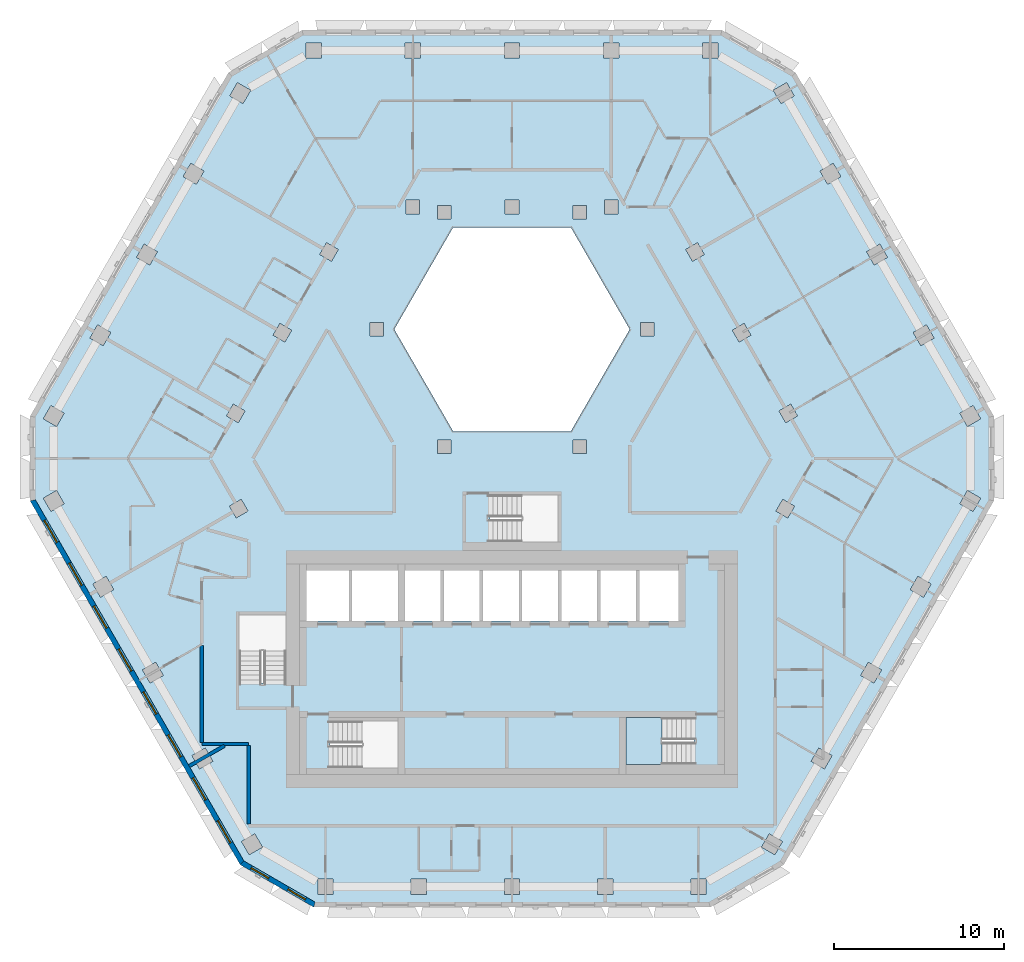
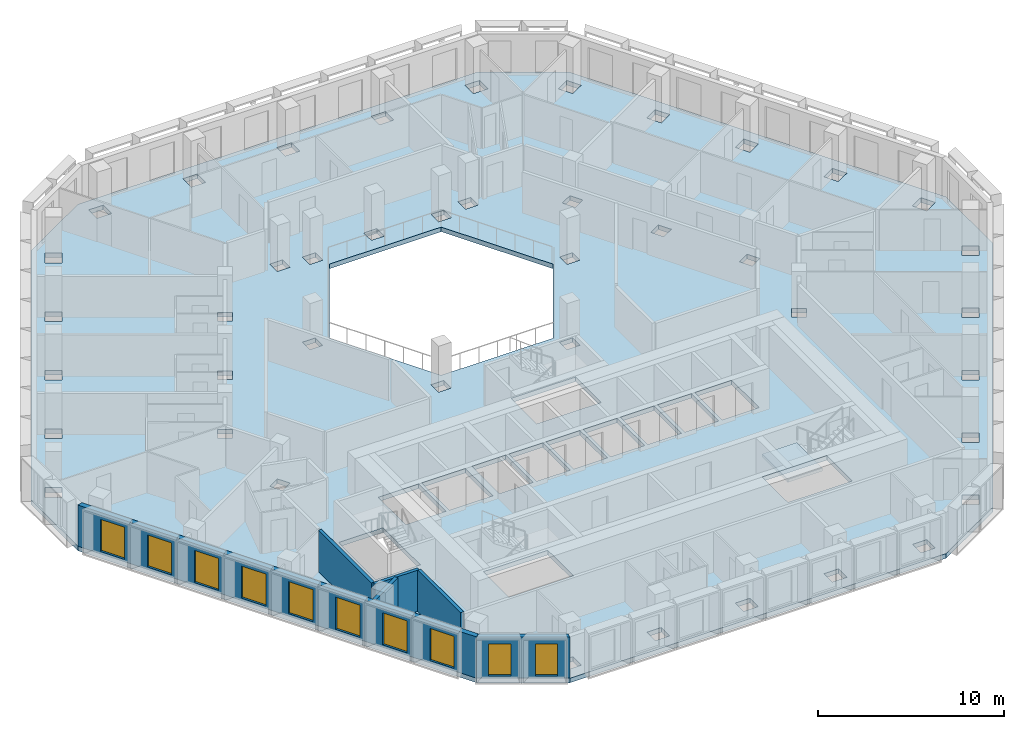
# One storey, part 2 of 17: 10 windows, 6 walls, 2 slabs, 10 openings, 1 element without a shape of its own.
"""IFC4 building model written with IfcOpenShell, lengths in metres."""

from ifc_helpers import new_model, si_unit, direction, frame, frame_2d, origin, place, context, subcontext, project, spatial, polyline, rectangle, outline, extrude, material, layer, layer_set, type_object, element, fill, aggregate, save


model = new_model("IFC4")

# Units and contexts
model_context = context("Model", 3, precision=1e-05, world=origin(), true_north=direction((0.0, 1.0)))
body_context = subcontext(model_context, "Body", "Model", "MODEL_VIEW")
ifc_project = project(units=[si_unit("LENGTHUNIT", "METRE"), si_unit("AREAUNIT", "SQUARE_METRE"), si_unit("VOLUMEUNIT", "CUBIC_METRE"), si_unit("PLANEANGLEUNIT", "RADIAN"), si_unit("MASSUNIT", "GRAM", prefix="KILO")], contexts=[model_context])

# Site, building, storey
site_placement = place(None, origin())
site = spatial("IfcSite", under=ifc_project, at=site_placement, CompositionType="ELEMENT")
building_placement = place(site_placement, origin())
building = spatial("IfcBuilding", under=site, at=building_placement, Name="Beryl Residences", CompositionType="ELEMENT")
storey_placement = place(building_placement, frame((0.0, 0.0, 120.60009765625)))
storey = spatial("IfcBuildingStorey", under=building, at=storey_placement, Name="L36", CompositionType="ELEMENT", Elevation=120.60009765625)

# Slab
ifc_material_1 = material(Name="Concrete C40/50", Category="concrete")
ifc_layer_1 = layer(ifc_material_1, 0.300048828125)
ifc_layer_set_1 = layer_set([ifc_layer_1], Name="SL7 PT floor slab 300 mm C40/50")
slab_type_1 = type_object("IfcSlabType", Name="SL7 PT floor slab 300 mm C40/50", PredefinedType="FLOOR", material=ifc_layer_set_1)
slab_1_placement = place(storey_placement, frame((0.0, 0.0, -0.300048828125)))
element("IfcSlab", 1, at=slab_1_placement, inside=storey, type_object=slab_type_1, Name="L36 slab 1", PredefinedType="FLOOR", context=body_context, shape_type="SweptSolid", body=[
    extrude(outline(polyline([(28.347900390625, -2.10009765625), (15.991943359375, -23.5), (11.662109375, -26.0), (-11.662109375, -26.0), (-15.991943359375, -23.5), (-28.347900390625, -2.10009765625), (-28.347900390625, 2.89990234375), (-16.68505859375, 23.10009765625), (-12.35498046875, 25.60009765625), (12.35498046875, 25.60009765625), (16.68505859375, 23.10009765625), (28.347900390625, 2.89990234375), (28.347900390625, -2.10009765625)]), holes=[polyline([(27.1279296875, 3.514892578125), (26.347900390625, 3.06494140625), (26.798095703125, 2.284912109375), (27.577880859375, 2.735107421875), (27.1279296875, 3.514892578125)]), polyline([(26.7958984375, -1.486083984375), (26.345947265625, -2.26611328125), (27.1259765625, -2.716064453125), (27.575927734375, -1.93603515625), (26.7958984375, -1.486083984375)]), polyline([(23.60498046875, 7.81494140625), (24.054931640625, 7.034912109375), (24.8349609375, 7.485107421875), (24.385009765625, 8.264892578125), (23.60498046875, 7.81494140625)]), polyline([(24.660888671875, -6.986083984375), (23.881103515625, -6.535888671875), (23.430908203125, -7.31591796875), (24.2109375, -7.76611328125), (24.660888671875, -6.986083984375)]), polyline([(21.64306640625, 13.014892578125), (20.863037109375, 12.56494140625), (21.31298828125, 11.784912109375), (22.093017578125, 12.235107421875), (21.64306640625, 13.014892578125)]), polyline([(20.965087890625, -11.5859375), (20.514892578125, -12.365966796875), (21.294921875, -12.81591796875), (21.7451171875, -12.035888671875), (20.965087890625, -11.5859375)]), polyline([(18.1201171875, 17.31494140625), (18.570068359375, 16.534912109375), (19.35009765625, 16.985107421875), (18.89990234375, 17.764892578125), (18.1201171875, 17.31494140625)]), polyline([(18.830078125, -17.0859375), (18.050048828125, -16.635986328125), (17.60009765625, -17.416015625), (18.3798828125, -17.865966796875), (18.830078125, -17.0859375)]), polyline([(16.39892578125, 3.595947265625), (15.70703125, 3.196044921875), (16.10693359375, 2.50390625), (16.799072265625, 2.904052734375), (16.39892578125, 3.595947265625)]), polyline([(16.6240234375, -2.405029296875), (15.931884765625, -2.0048828125), (15.531982421875, -2.697021484375), (16.22412109375, -3.096923828125), (16.6240234375, -2.405029296875)]), polyline([(16.157958984375, 22.514892578125), (15.3779296875, 22.06494140625), (15.827880859375, 21.284912109375), (16.60791015625, 21.735107421875), (16.157958984375, 22.514892578125)]), polyline([(15.9140625, -22.135009765625), (15.134033203125, -21.68505859375), (14.68408203125, -22.465087890625), (15.464111328125, -22.9150390625), (15.9140625, -22.135009765625)]), polyline([(13.656005859375, 8.345947265625), (12.964111328125, 7.946044921875), (13.364013671875, 7.25390625), (14.055908203125, 7.654052734375), (13.656005859375, 8.345947265625)]), polyline([(11.2119140625, 24.85009765625), (11.2119140625, 23.949951171875), (12.112060546875, 23.949951171875), (12.112060546875, 24.85009765625), (11.2119140625, 24.85009765625)]), polyline([(11.4208984375, -24.35009765625), (10.52099609375, -24.35009765625), (10.52099609375, -25.25), (11.4208984375, -25.25), (11.4208984375, -24.35009765625)]), polyline([(10.221923828125, 12.696044921875), (10.6220703125, 12.00390625), (11.31396484375, 12.404052734375), (10.9140625, 13.095947265625), (10.221923828125, 12.696044921875)]), polyline([(6.699951171875, -14.85009765625), (6.699951171875, -17.60009765625), (10.699951171875, -17.60009765625), (10.699951171875, -14.85009765625), (6.699951171875, -14.85009765625)]), polyline([(7.5, -9.14990234375), (9.800048828125, -9.14990234375), (9.800048828125, -6.199951171875), (7.5, -6.199951171875), (7.5, -9.14990234375)]), polyline([(8.366943359375, 7.60009765625), (8.366943359375, 8.39990234375), (7.56689453125, 8.39990234375), (7.56689453125, 7.60009765625), (8.366943359375, 7.60009765625)]), polyline([(7.300048828125, -9.14990234375), (7.300048828125, -6.199951171875), (5.199951171875, -6.199951171875), (5.199951171875, -9.14990234375), (7.300048828125, -9.14990234375)]), polyline([(3.464111328125, 14.0), (-3.464111328125, 14.0), (-6.92822265625, 8.0), (-3.464111328125, 2.0), (3.464111328125, 2.0), (6.92822265625, 8.0), (3.464111328125, 14.0)]), polyline([(5.381103515625, 24.85009765625), (5.381103515625, 23.949951171875), (6.281005859375, 23.949951171875), (6.281005859375, 24.85009765625), (5.381103515625, 24.85009765625)]), polyline([(5.430908203125, 15.60009765625), (5.430908203125, 14.800048828125), (6.23095703125, 14.800048828125), (6.23095703125, 15.60009765625), (5.430908203125, 15.60009765625)]), polyline([(5.93603515625, -25.25), (5.93603515625, -24.35009765625), (5.035888671875, -24.35009765625), (5.035888671875, -25.25), (5.93603515625, -25.25)]), polyline([(2.89990234375, -9.14990234375), (5.0, -9.14990234375), (5.0, -6.199951171875), (2.89990234375, -6.199951171875), (2.89990234375, -9.14990234375)]), polyline([(4.384033203125, 14.5), (4.384033203125, 15.300048828125), (3.583984375, 15.300048828125), (3.583984375, 14.5), (4.384033203125, 14.5)]), polyline([(3.583984375, 1.5), (3.583984375, 0.699951171875), (4.384033203125, 0.699951171875), (4.384033203125, 1.5), (3.583984375, 1.5)]), polyline([(2.699951171875, -4.5), (2.699951171875, -1.75), (-1.300048828125, -1.75), (-1.300048828125, -4.5), (2.699951171875, -4.5)]), polyline([(0.60009765625, -9.14990234375), (2.699951171875, -9.14990234375), (2.699951171875, -6.199951171875), (0.60009765625, -6.199951171875), (0.60009765625, -9.14990234375)]), polyline([(0.450927734375, -24.35009765625), (-0.448974609375, -24.35009765625), (-0.448974609375, -25.25), (0.450927734375, -25.25), (0.450927734375, -24.35009765625)]), polyline([(-0.449951171875, 24.85009765625), (-0.449951171875, 23.949951171875), (0.449951171875, 23.949951171875), (0.449951171875, 24.85009765625), (-0.449951171875, 24.85009765625)]), polyline([(0.39990234375, -6.199951171875), (-1.699951171875, -6.199951171875), (-1.699951171875, -9.14990234375), (0.39990234375, -9.14990234375), (0.39990234375, -6.199951171875)]), polyline([(-0.39990234375, 15.60009765625), (-0.39990234375, 14.800048828125), (0.39990234375, 14.800048828125), (0.39990234375, 15.60009765625), (-0.39990234375, 15.60009765625)]), polyline([(-4.0, -9.14990234375), (-1.89990234375, -9.14990234375), (-1.89990234375, -6.199951171875), (-4.0, -6.199951171875), (-4.0, -9.14990234375)]), polyline([(-3.583984375, 14.5), (-3.583984375, 15.300048828125), (-4.384033203125, 15.300048828125), (-4.384033203125, 14.5), (-3.583984375, 14.5)]), polyline([(-3.583984375, 0.699951171875), (-3.583984375, 1.5), (-4.384033203125, 1.5), (-4.384033203125, 0.699951171875), (-3.583984375, 0.699951171875)]), polyline([(-6.300048828125, -9.14990234375), (-4.199951171875, -9.14990234375), (-4.199951171875, -6.199951171875), (-6.300048828125, -6.199951171875), (-6.300048828125, -9.14990234375)]), polyline([(-5.033935546875, -25.25), (-5.033935546875, -24.35009765625), (-5.93408203125, -24.35009765625), (-5.93408203125, -25.25), (-5.033935546875, -25.25)]), polyline([(-6.281005859375, 23.949951171875), (-5.381103515625, 23.949951171875), (-5.381103515625, 24.85009765625), (-6.281005859375, 24.85009765625), (-6.281005859375, 23.949951171875)]), polyline([(-6.23095703125, 14.800048828125), (-5.430908203125, 14.800048828125), (-5.430908203125, 15.60009765625), (-6.23095703125, 15.60009765625), (-6.23095703125, 14.800048828125)]), polyline([(-6.699951171875, -6.199951171875), (-9.39990234375, -6.199951171875), (-9.39990234375, -9.14990234375), (-6.699951171875, -9.14990234375), (-6.699951171875, -6.199951171875)]), polyline([(-10.699951171875, -15.050048828125), (-10.699951171875, -17.800048828125), (-6.699951171875, -17.800048828125), (-6.699951171875, -15.050048828125), (-10.699951171875, -15.050048828125)]), polyline([(-7.56689453125, 7.60009765625), (-7.56689453125, 8.39990234375), (-8.366943359375, 8.39990234375), (-8.366943359375, 7.60009765625), (-7.56689453125, 7.60009765625)]), polyline([(-12.10009765625, -9.14990234375), (-9.60009765625, -9.14990234375), (-9.60009765625, -6.199951171875), (-12.10009765625, -6.199951171875), (-12.10009765625, -9.14990234375)]), polyline([(-11.31396484375, 12.404052734375), (-10.6220703125, 12.00390625), (-10.221923828125, 12.696044921875), (-10.9140625, 13.095947265625), (-11.31396484375, 12.404052734375)]), polyline([(-11.4189453125, -24.35009765625), (-11.4189453125, -25.25), (-10.51904296875, -25.25), (-10.51904296875, -24.35009765625), (-11.4189453125, -24.35009765625)]), polyline([(-12.112060546875, 24.85009765625), (-12.112060546875, 23.949951171875), (-11.2119140625, 23.949951171875), (-11.2119140625, 24.85009765625), (-12.112060546875, 24.85009765625)]), polyline([(-14.055908203125, 7.654052734375), (-13.364013671875, 7.25390625), (-12.964111328125, 7.946044921875), (-13.656005859375, 8.345947265625), (-14.055908203125, 7.654052734375)]), polyline([(-13.300048828125, -8.800048828125), (-16.050048828125, -8.800048828125), (-16.050048828125, -12.800048828125), (-13.300048828125, -12.800048828125), (-13.300048828125, -8.800048828125)]), polyline([(-14.68505859375, -22.464111328125), (-15.135009765625, -21.68408203125), (-15.9150390625, -22.134033203125), (-15.465087890625, -22.9140625), (-14.68505859375, -22.464111328125)]), polyline([(-15.827880859375, 21.284912109375), (-15.3779296875, 22.06494140625), (-16.157958984375, 22.514892578125), (-16.60791015625, 21.735107421875), (-15.827880859375, 21.284912109375)]), polyline([(-15.532958984375, -2.695068359375), (-15.93310546875, -2.0029296875), (-16.625, -2.403076171875), (-16.22509765625, -3.094970703125), (-15.532958984375, -2.695068359375)]), polyline([(-16.10693359375, 2.50390625), (-15.70703125, 3.196044921875), (-16.39892578125, 3.595947265625), (-16.799072265625, 2.904052734375), (-16.10693359375, 2.50390625)]), polyline([(-17.60107421875, -17.4140625), (-18.051025390625, -16.634033203125), (-18.8310546875, -17.083984375), (-18.381103515625, -17.864013671875), (-17.60107421875, -17.4140625)]), polyline([(-19.35009765625, 16.985107421875), (-18.570068359375, 16.534912109375), (-18.1201171875, 17.31494140625), (-18.89990234375, 17.764892578125), (-19.35009765625, 16.985107421875)]), polyline([(-21.2958984375, -12.81396484375), (-20.51611328125, -12.364013671875), (-20.966064453125, -11.583984375), (-21.74609375, -12.033935546875), (-21.2958984375, -12.81396484375)]), polyline([(-20.863037109375, 12.56494140625), (-21.64306640625, 13.014892578125), (-22.093017578125, 12.235107421875), (-21.31298828125, 11.784912109375), (-20.863037109375, 12.56494140625)]), polyline([(-24.2119140625, -7.763916015625), (-23.431884765625, -7.31396484375), (-23.882080078125, -6.533935546875), (-24.662109375, -6.98388671875), (-24.2119140625, -7.763916015625)]), polyline([(-24.8349609375, 7.485107421875), (-24.054931640625, 7.034912109375), (-23.60498046875, 7.81494140625), (-24.385009765625, 8.264892578125), (-24.8349609375, 7.485107421875)]), polyline([(-27.126953125, -2.715087890625), (-26.346923828125, -2.264892578125), (-26.797119140625, -1.485107421875), (-27.576904296875, -1.93505859375), (-27.126953125, -2.715087890625)]), polyline([(-27.577880859375, 2.735107421875), (-26.798095703125, 2.284912109375), (-26.347900390625, 3.06494140625), (-27.1279296875, 3.514892578125), (-27.577880859375, 2.735107421875)])]), origin(), (0.0, 0.0, 1.0), 0.300048828125),
])

# Stair, slab
ifc_material_2 = material(Name="Concrete C40/50", Category="concrete")
stair_type = type_object("IfcStairType", Name="ST1 protected exit stair, half-turn, 1300 mm flights", PredefinedType="HALF_TURN_STAIR", material=ifc_material_2)
stair_placement = place(storey_placement, origin())
stair = element("IfcStair", 2, at=stair_placement, inside=storey, type_object=stair_type, Name="L36 PROTECTED EXIT STAIR ST-3", PredefinedType="HALF_TURN_STAIR")
ifc_material_3 = material(Name="Concrete C40/50", Category="concrete")
ifc_layer_2 = layer(ifc_material_3, 0.199951171875)
ifc_layer_set_2 = layer_set([ifc_layer_2], Name="SLD1 stair landing 200 mm")
slab_type_2 = type_object("IfcSlabType", Name="SLD1 stair landing 200 mm", PredefinedType="LANDING", material=ifc_layer_set_2)
slab_2_placement = place(storey_placement, frame((0.0, 0.0, 1.2998046875)))
slab_2 = element("IfcSlab", 3, at=slab_2_placement, type_object=slab_type_2, Name="ST-3 landing 1", PredefinedType="LANDING", context=body_context, shape_type="SweptSolid", body=[
    extrude(outline(polyline([(8.840087890625, -14.85009765625), (6.699951171875, -14.85009765625), (6.699951171875, -17.60009765625), (8.840087890625, -17.60009765625), (8.840087890625, -14.85009765625)])), origin(), (0.0, 0.0, 1.0), 0.2001953125),
])
aggregate(stair, [slab_2])

# Wall, openings, windows
ifc_material_4 = material(Name="Composite metal panel with mineral wool insulation")
ifc_layer_3 = layer(ifc_material_4, 0.300048828125)
ifc_layer_set_3 = layer_set([ifc_layer_3], Name="ES1 pale metal composite panel wall 300 mm")
wall_type_1 = type_object("IfcWallType", Name="ES1 pale metal composite panel wall 300 mm", PredefinedType="SOLIDWALL", material=ifc_layer_set_3)
wall_1_placement = place(storey_placement, frame((-28.218017578125, -2.02490234375, 0.0), z_axis=(0.0, 0.0, 1.0), x_axis=(0.500017503135, -0.866015298109, 0.0)))
wall_1 = element("IfcWall", 4, at=wall_1_placement, inside=storey, type_object=wall_type_1, Name="ES1 external wall L36 SW", PredefinedType="SOLIDWALL", context=body_context, shape_type="SweptSolid", body=[
    extrude(outline(polyline([(0.0, -0.14990234375), (24.7109375, -0.14990234375), (24.630615234375, 0.14990234375), (0.080322265625, 0.14990234375), (0.0, -0.14990234375)])), origin(), (0.0, 0.0, 1.0), 2.699951171875),
])
opening_1_placement = place(wall_1_placement, frame((1.39990234375, 0.0, 0.14990234375)))
opening_1 = element("IfcOpeningElement", 5, at=opening_1_placement, cuts=wall_1, Name="Opening W1", PredefinedType="OPENING", context=body_context, shape_type="SweptSolid", body=[
    extrude(rectangle(XDim=1.5, YDim=2.10009765625, at=frame_2d((0.75, 1.050048828125))), frame((0.0, 0.159912109375, 0.0), z_axis=(0.0, -1.0, 0.0), x_axis=(1.0, 0.0, 0.0)), (0.0, 0.0, 1.0), 0.320068359375),
])
opening_2_placement = place(wall_1_placement, frame((4.31591796875, 0.0, 0.14990234375)))
opening_2 = element("IfcOpeningElement", 6, at=opening_2_placement, cuts=wall_1, Name="Opening W1", PredefinedType="OPENING", context=body_context, shape_type="SweptSolid", body=[
    extrude(rectangle(XDim=1.5, YDim=2.10009765625, at=frame_2d((0.75, 1.050048828125))), frame((0.0, 0.159912109375, 0.0), z_axis=(0.0, -1.0, 0.0), x_axis=(1.0, 0.0, 0.0)), (0.0, 0.0, 1.0), 0.320068359375),
])
opening_3_placement = place(wall_1_placement, frame((7.23095703125, 0.0, 0.14990234375)))
opening_3 = element("IfcOpeningElement", 7, at=opening_3_placement, cuts=wall_1, Name="Opening W1", PredefinedType="OPENING", context=body_context, shape_type="SweptSolid", body=[
    extrude(rectangle(XDim=1.5, YDim=2.10009765625, at=frame_2d((0.75, 1.050048828125))), frame((0.0, 0.159912109375, 0.0), z_axis=(0.0, -1.0, 0.0), x_axis=(1.0, 0.0, 0.0)), (0.0, 0.0, 1.0), 0.320068359375),
])
opening_4_placement = place(wall_1_placement, frame((10.14697265625, 0.0, 0.14990234375)))
opening_4 = element("IfcOpeningElement", 8, at=opening_4_placement, cuts=wall_1, Name="Opening W1", PredefinedType="OPENING", context=body_context, shape_type="SweptSolid", body=[
    extrude(rectangle(XDim=1.5, YDim=2.10009765625, at=frame_2d((0.75, 1.050048828125))), frame((0.0, 0.159912109375, 0.0), z_axis=(0.0, -1.0, 0.0), x_axis=(1.0, 0.0, 0.0)), (0.0, 0.0, 1.0), 0.320068359375),
])
opening_5_placement = place(wall_1_placement, frame((13.06201171875, 0.0, 0.14990234375)))
opening_5 = element("IfcOpeningElement", 9, at=opening_5_placement, cuts=wall_1, Name="Opening W1", PredefinedType="OPENING", context=body_context, shape_type="SweptSolid", body=[
    extrude(rectangle(XDim=1.5, YDim=2.10009765625, at=frame_2d((0.75, 1.050048828125))), frame((0.0, 0.159912109375, 0.0), z_axis=(0.0, -1.0, 0.0), x_axis=(1.0, 0.0, 0.0)), (0.0, 0.0, 1.0), 0.320068359375),
])
opening_6_placement = place(wall_1_placement, frame((15.97705078125, 0.0, 0.14990234375)))
opening_6 = element("IfcOpeningElement", 10, at=opening_6_placement, cuts=wall_1, Name="Opening W1", PredefinedType="OPENING", context=body_context, shape_type="SweptSolid", body=[
    extrude(rectangle(XDim=1.5, YDim=2.10009765625, at=frame_2d((0.75, 1.050048828125))), frame((0.0, 0.159912109375, 0.0), z_axis=(0.0, -1.0, 0.0), x_axis=(1.0, 0.0, 0.0)), (0.0, 0.0, 1.0), 0.320068359375),
])
opening_7_placement = place(wall_1_placement, frame((18.89306640625, 0.0, 0.14990234375)))
opening_7 = element("IfcOpeningElement", 11, at=opening_7_placement, cuts=wall_1, Name="Opening W1", PredefinedType="OPENING", context=body_context, shape_type="SweptSolid", body=[
    extrude(rectangle(XDim=1.5, YDim=2.10009765625, at=frame_2d((0.75, 1.050048828125))), frame((0.0, 0.159912109375, 0.0), z_axis=(0.0, -1.0, 0.0), x_axis=(1.0, 0.0, 0.0)), (0.0, 0.0, 1.0), 0.320068359375),
])
opening_8_placement = place(wall_1_placement, frame((21.80908203125, 0.0, 0.14990234375)))
opening_8 = element("IfcOpeningElement", 12, at=opening_8_placement, cuts=wall_1, Name="Opening W1", PredefinedType="OPENING", context=body_context, shape_type="SweptSolid", body=[
    extrude(rectangle(XDim=1.5, YDim=2.10009765625, at=frame_2d((0.75, 1.050048828125))), frame((0.0, 0.159912109375, 0.0), z_axis=(0.0, -1.0, 0.0), x_axis=(1.0, 0.0, 0.0)), (0.0, 0.0, 1.0), 0.320068359375),
])
ifc_material_5 = material(Name="Aluminium and clear glass", Category="aluminium")
window_type_1 = type_object("IfcWindowType", Name="W1 cell window 1500 x 2100 mm", PartitioningType="SINGLE_PANEL", PredefinedType="WINDOW", material=ifc_material_5)
window_1_placement = place(opening_1_placement, origin())
window_1 = element("IfcWindow", 13, at=window_1_placement, inside=storey, type_object=window_type_1, Name="W1 window L36 SW 1", OverallHeight=2.10009765625, OverallWidth=1.5, PartitioningType="SINGLE_PANEL", PredefinedType="WINDOW", context=body_context, shape_type="SweptSolid", body=[
    extrude(rectangle(XDim=1.5, YDim=2.10009765625, at=frame_2d((0.75, 1.050048828125))), frame((0.0, 0.030029296875, 0.0), z_axis=(0.0, -1.0, 0.0), x_axis=(1.0, 0.0, 0.0)), (0.0, 0.0, 1.0), 0.06005859375),
])
fill(opening_1, window_1)
window_2_placement = place(opening_2_placement, origin())
window_2 = element("IfcWindow", 14, at=window_2_placement, inside=storey, type_object=window_type_1, Name="W1 window L36 SW 2", OverallHeight=2.10009765625, OverallWidth=1.5, PartitioningType="SINGLE_PANEL", PredefinedType="WINDOW", context=body_context, shape_type="SweptSolid", body=[
    extrude(rectangle(XDim=1.5, YDim=2.10009765625, at=frame_2d((0.75, 1.050048828125))), frame((0.0, 0.030029296875, 0.0), z_axis=(0.0, -1.0, 0.0), x_axis=(1.0, 0.0, 0.0)), (0.0, 0.0, 1.0), 0.06005859375),
])
fill(opening_2, window_2)
window_3_placement = place(opening_3_placement, origin())
window_3 = element("IfcWindow", 15, at=window_3_placement, inside=storey, type_object=window_type_1, Name="W1 window L36 SW 3", OverallHeight=2.10009765625, OverallWidth=1.5, PartitioningType="SINGLE_PANEL", PredefinedType="WINDOW", context=body_context, shape_type="SweptSolid", body=[
    extrude(rectangle(XDim=1.5, YDim=2.10009765625, at=frame_2d((0.75, 1.050048828125))), frame((0.0, 0.030029296875, 0.0), z_axis=(0.0, -1.0, 0.0), x_axis=(1.0, 0.0, 0.0)), (0.0, 0.0, 1.0), 0.06005859375),
])
fill(opening_3, window_3)
window_4_placement = place(opening_4_placement, origin())
window_4 = element("IfcWindow", 16, at=window_4_placement, inside=storey, type_object=window_type_1, Name="W1 window L36 SW 4", OverallHeight=2.10009765625, OverallWidth=1.5, PartitioningType="SINGLE_PANEL", PredefinedType="WINDOW", context=body_context, shape_type="SweptSolid", body=[
    extrude(rectangle(XDim=1.5, YDim=2.10009765625, at=frame_2d((0.75, 1.050048828125))), frame((0.0, 0.030029296875, 0.0), z_axis=(0.0, -1.0, 0.0), x_axis=(1.0, 0.0, 0.0)), (0.0, 0.0, 1.0), 0.06005859375),
])
fill(opening_4, window_4)
window_5_placement = place(opening_5_placement, origin())
window_5 = element("IfcWindow", 17, at=window_5_placement, inside=storey, type_object=window_type_1, Name="W1 window L36 SW 5", OverallHeight=2.10009765625, OverallWidth=1.5, PartitioningType="SINGLE_PANEL", PredefinedType="WINDOW", context=body_context, shape_type="SweptSolid", body=[
    extrude(rectangle(XDim=1.5, YDim=2.10009765625, at=frame_2d((0.75, 1.050048828125))), frame((0.0, 0.030029296875, 0.0), z_axis=(0.0, -1.0, 0.0), x_axis=(1.0, 0.0, 0.0)), (0.0, 0.0, 1.0), 0.06005859375),
])
fill(opening_5, window_5)
window_6_placement = place(opening_6_placement, origin())
window_6 = element("IfcWindow", 18, at=window_6_placement, inside=storey, type_object=window_type_1, Name="W1 window L36 SW 6", OverallHeight=2.10009765625, OverallWidth=1.5, PartitioningType="SINGLE_PANEL", PredefinedType="WINDOW", context=body_context, shape_type="SweptSolid", body=[
    extrude(rectangle(XDim=1.5, YDim=2.10009765625, at=frame_2d((0.75, 1.050048828125))), frame((0.0, 0.030029296875, 0.0), z_axis=(0.0, -1.0, 0.0), x_axis=(1.0, 0.0, 0.0)), (0.0, 0.0, 1.0), 0.06005859375),
])
fill(opening_6, window_6)
window_7_placement = place(opening_7_placement, origin())
window_7 = element("IfcWindow", 19, at=window_7_placement, inside=storey, type_object=window_type_1, Name="W1 window L36 SW 7", OverallHeight=2.10009765625, OverallWidth=1.5, PartitioningType="SINGLE_PANEL", PredefinedType="WINDOW", context=body_context, shape_type="SweptSolid", body=[
    extrude(rectangle(XDim=1.5, YDim=2.10009765625, at=frame_2d((0.75, 1.050048828125))), frame((0.0, 0.030029296875, 0.0), z_axis=(0.0, -1.0, 0.0), x_axis=(1.0, 0.0, 0.0)), (0.0, 0.0, 1.0), 0.06005859375),
])
fill(opening_7, window_7)
window_8_placement = place(opening_8_placement, origin())
window_8 = element("IfcWindow", 20, at=window_8_placement, inside=storey, type_object=window_type_1, Name="W1 window L36 SW 8", OverallHeight=2.10009765625, OverallWidth=1.5, PartitioningType="SINGLE_PANEL", PredefinedType="WINDOW", context=body_context, shape_type="SweptSolid", body=[
    extrude(rectangle(XDim=1.5, YDim=2.10009765625, at=frame_2d((0.75, 1.050048828125))), frame((0.0, 0.030029296875, 0.0), z_axis=(0.0, -1.0, 0.0), x_axis=(1.0, 0.0, 0.0)), (0.0, 0.0, 1.0), 0.06005859375),
])
fill(opening_8, window_8)

wall_2_placement = place(storey_placement, frame((-15.9169921875, -23.3701171875, 0.0), z_axis=(0.0, 0.0, 1.0), x_axis=(0.866022959057, -0.500004234368, 0.0)))
wall_2 = element("IfcWall", 21, at=wall_2_placement, inside=storey, type_object=wall_type_1, Name="ES1 external wall L36 SW-S", PredefinedType="SOLIDWALL", context=body_context, shape_type="SweptSolid", body=[
    extrude(outline(polyline([(0.0, -0.14990234375), (5.0, -0.14990234375), (4.919677734375, 0.14990234375), (0.080322265625, 0.14990234375), (0.0, -0.14990234375)])), origin(), (0.0, 0.0, 1.0), 2.699951171875),
])
opening_9_placement = place(wall_2_placement, frame((0.64990234375, 0.0, 0.14990234375)))
opening_9 = element("IfcOpeningElement", 22, at=opening_9_placement, cuts=wall_2, Name="Opening W2", PredefinedType="OPENING", context=body_context, shape_type="SweptSolid", body=[
    extrude(rectangle(XDim=1.199951171875, YDim=2.10009765625, at=frame_2d((0.60009765625, 1.050048828125))), frame((0.0, 0.159912109375, 0.0), z_axis=(0.0, -1.0, 0.0), x_axis=(1.0, 0.0, 0.0)), (0.0, 0.0, 1.0), 0.320068359375),
])
opening_10_placement = place(wall_2_placement, frame((3.14990234375, 0.0, 0.14990234375)))
opening_10 = element("IfcOpeningElement", 23, at=opening_10_placement, cuts=wall_2, Name="Opening W2", PredefinedType="OPENING", context=body_context, shape_type="SweptSolid", body=[
    extrude(rectangle(XDim=1.199951171875, YDim=2.10009765625, at=frame_2d((0.60009765625, 1.050048828125))), frame((0.0, 0.159912109375, 0.0), z_axis=(0.0, -1.0, 0.0), x_axis=(1.0, 0.0, 0.0)), (0.0, 0.0, 1.0), 0.320068359375),
])
ifc_material_6 = material(Name="Aluminium and clear glass", Category="aluminium")
window_type_2 = type_object("IfcWindowType", Name="W2 chamfer window 1200 x 2100 mm", PartitioningType="SINGLE_PANEL", PredefinedType="WINDOW", material=ifc_material_6)
window_9_placement = place(opening_9_placement, origin())
window_9 = element("IfcWindow", 24, at=window_9_placement, inside=storey, type_object=window_type_2, Name="W2 window L36 SW-S 1", OverallHeight=2.10009765625, OverallWidth=1.199951171875, PartitioningType="SINGLE_PANEL", PredefinedType="WINDOW", context=body_context, shape_type="SweptSolid", body=[
    extrude(rectangle(XDim=1.199951171875, YDim=2.10009765625, at=frame_2d((0.60009765625, 1.050048828125))), frame((0.0, 0.030029296875, 0.0), z_axis=(0.0, -1.0, 0.0), x_axis=(1.0, 0.0, 0.0)), (0.0, 0.0, 1.0), 0.06005859375),
])
fill(opening_9, window_9)
window_10_placement = place(opening_10_placement, origin())
window_10 = element("IfcWindow", 25, at=window_10_placement, inside=storey, type_object=window_type_2, Name="W2 window L36 SW-S 2", OverallHeight=2.10009765625, OverallWidth=1.199951171875, PartitioningType="SINGLE_PANEL", PredefinedType="WINDOW", context=body_context, shape_type="SweptSolid", body=[
    extrude(rectangle(XDim=1.199951171875, YDim=2.10009765625, at=frame_2d((0.60009765625, 1.050048828125))), frame((0.0, 0.030029296875, 0.0), z_axis=(0.0, -1.0, 0.0), x_axis=(1.0, 0.0, 0.0)), (0.0, 0.0, 1.0), 0.06005859375),
])
fill(opening_10, window_10)

# Walls
ifc_material_7 = material(Name="Acoustic double stud gypsum board wall")
ifc_layer_4 = layer(ifc_material_7, 0.199951171875)
ifc_layer_set_4 = layer_set([ifc_layer_4], Name="PT3 party wall 200 mm acoustic double stud")
wall_type_2 = type_object("IfcWallType", Name="PT3 party wall 200 mm acoustic double stud", PredefinedType="PARTITIONING", material=ifc_layer_set_4)
wall_3_placement = place(storey_placement, frame((-18.9951171875, -17.698974609375, 0.0), z_axis=(0.0, 0.0, 1.0), x_axis=(0.86607371389, 0.499916315105, 0.0)))
element("IfcWall", 26, at=wall_3_placement, inside=storey, type_object=wall_type_2, Name="Wall PT3 L36 009", PredefinedType="PARTITIONING", context=body_context, shape_type="SweptSolid", body=[
    extrude(rectangle(XDim=2.3984375, YDim=0.199951171875, at=frame_2d((1.19921875, 0.0))), origin(), (0.0, 0.0, 1.0), 2.699951171875),
])
ifc_material_8 = material(Name="Double stud gypsum board wall")
ifc_layer_5 = layer(ifc_material_8, 0.199951171875)
ifc_layer_set_5 = layer_set([ifc_layer_5], Name="PT4 corridor wall 200 mm double stud")
wall_type_3 = type_object("IfcWallType", Name="PT4 corridor wall 200 mm double stud", PredefinedType="PARTITIONING", material=ifc_layer_set_5)
wall_4_placement = place(storey_placement, frame((-15.5, -16.5, 0.0), z_axis=(0.0, 0.0, 1.0), x_axis=(0.0, -1.0, 0.0)))
element("IfcWall", 27, at=wall_4_placement, inside=storey, type_object=wall_type_3, Name="Wall PT4 L36 007", PredefinedType="PARTITIONING", context=body_context, shape_type="SweptSolid", body=[
    extrude(rectangle(XDim=4.59912109375, YDim=0.199951171875, at=frame_2d((2.299560546875, 0.0))), origin(), (0.0, 0.0, 1.0), 2.699951171875),
])
wall_5_placement = place(storey_placement, frame((-18.25, -10.593017578125, 0.0), z_axis=(0.0, 0.0, 1.0), x_axis=(0.0, -1.0, 0.0)))
element("IfcWall", 28, at=wall_5_placement, inside=storey, type_object=wall_type_3, Name="Wall PT4 L36 008", PredefinedType="PARTITIONING", context=body_context, shape_type="SweptSolid", body=[
    extrude(rectangle(XDim=5.7060546875, YDim=0.199951171875, at=frame_2d((2.85302734375, 0.0))), origin(), (0.0, 0.0, 1.0), 2.699951171875),
])
wall_6_placement = place(storey_placement, frame((-18.2490234375, -16.39990234375, 0.0), z_axis=(0.0, 0.0, 1.0), x_axis=(1.0, 0.0, 0.0)))
element("IfcWall", 29, at=wall_6_placement, inside=storey, type_object=wall_type_3, Name="Wall PT4 L36 010", PredefinedType="PARTITIONING", context=body_context, shape_type="SweptSolid", body=[
    extrude(rectangle(XDim=2.7490234375, YDim=0.199951171875, at=frame_2d((1.37451171875, 0.0))), origin(), (0.0, 0.0, 1.0), 2.699951171875),
])

save(model, "model.ifc")
